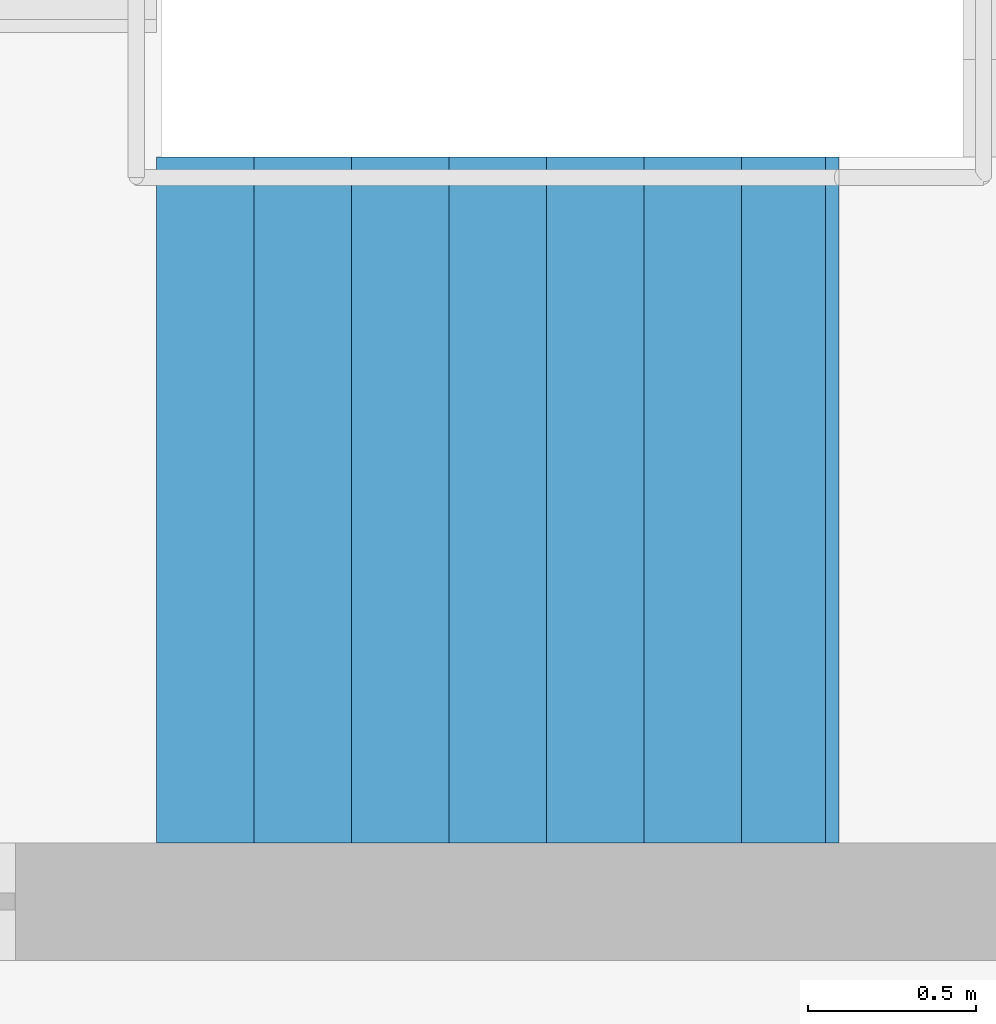
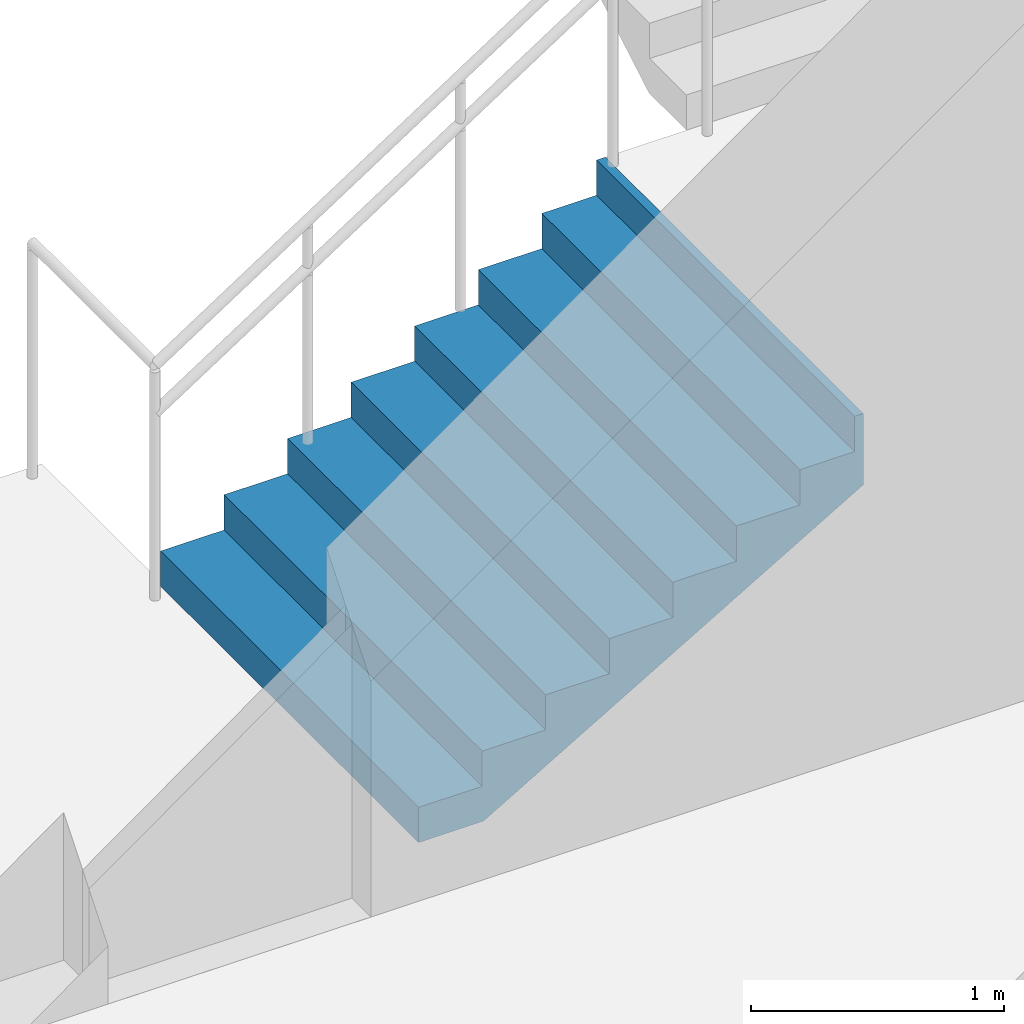
# One storey, part 39 of 50: 1 stair flight, 1 element without a shape of its own.
"""IFC4 building model written with IfcOpenShell, lengths in metres."""

from ifc_helpers import new_model, si_unit, direction, frame, origin, place, context, subcontext, project, spatial, triangles, material, type_object, element, aggregate, save


model = new_model("IFC4")

# Units and contexts
model_context = context("Model", 3, precision=1e-05, world=origin(), true_north=direction((0.0, 1.0)))
body_context = subcontext(model_context, "Body", "Model", "MODEL_VIEW")
ifc_project = project(units=[si_unit("LENGTHUNIT", "METRE"), si_unit("AREAUNIT", "SQUARE_METRE"), si_unit("VOLUMEUNIT", "CUBIC_METRE"), si_unit("PLANEANGLEUNIT", "RADIAN"), si_unit("MASSUNIT", "GRAM", prefix="KILO")], contexts=[model_context])

# Site, building, storey
site_placement = place(None, origin())
site = spatial("IfcSite", under=ifc_project, at=site_placement, CompositionType="ELEMENT")
building_placement = place(site_placement, origin())
building = spatial("IfcBuilding", under=site, at=building_placement, Name="Sillaruma Civic Art Gallery", CompositionType="ELEMENT")
storey_placement = place(building_placement, origin())
storey = spatial("IfcBuildingStorey", under=building, at=storey_placement, Name="L00", CompositionType="ELEMENT", Elevation=0.0)

# Stair, stair flight
ifc_material = material(Name="Concrete H35 (35 MPa)", Category="concrete")
stair_type = type_object("IfcStairType", Name="STR-4F-32", PredefinedType="USERDEFINED", material=ifc_material)
stair_placement = place(storey_placement, origin())
stair = element("IfcStair", 1, at=stair_placement, inside=storey, type_object=stair_type, Name="Protected Exit Stair ST-02 (West Bar North) (L00)", ObjectType="THREE_RETURN_STAIR", PredefinedType="USERDEFINED")
stair_flight_type = type_object("IfcStairFlightType", Name="SFL-STR-8", PredefinedType="STRAIGHT", material=ifc_material)
stair_flight_placement = place(storey_placement, frame((64.800048828125, 81.929931640625, 0.0), z_axis=(0.0, 0.0, 1.0), x_axis=(1.0, 0.0, 0.0)))
stair_flight = element("IfcStairFlight", 2, at=stair_flight_placement, type_object=stair_flight_type, Name="ST-02 flight 1", NumberOfRisers=8, NumberOfTreads=7, PredefinedType="STRAIGHT", RiserHeight=0.17, TreadLength=0.29, context=body_context, shape_type="Tessellation", body=[
    triangles([(0.0, -1.02001953125, 0.0), (0.29, -1.02001953125, 0.0), (0.296443, -1.02001953125, 0.0), (0.58, -1.02001953125, 0.166223), (0.87, -1.02001953125, 0.336223), (1.16, -1.02001953125, 0.506223), (1.45, -1.02001953125, 0.676223), (1.74, -1.02001953125, 0.846223), (1.990029, -1.02001953125, 0.992792), (2.030029, -1.02001953125, 1.01624), (2.030029, -1.02001953125, 1.36), (1.990029, -1.02001953125, 1.36), (1.990029, -1.02001953125, 1.19), (1.74, -1.02001953125, 1.19), (1.74, -1.02001953125, 1.02), (1.45, -1.02001953125, 1.02), (1.45, -1.02001953125, 0.85), (1.16, -1.02001953125, 0.85), (1.16, -1.02001953125, 0.68), (0.87, -1.02001953125, 0.68), (0.87, -1.02001953125, 0.51), (0.58, -1.02001953125, 0.51), (0.58, -1.02001953125, 0.34), (0.296443, -1.02001953125, 0.34), (0.29, -1.02001953125, 0.34), (0.29, -1.02001953125, 0.17), (0.0, -1.02001953125, 0.17), (0.0, -0.05, 0.0), (0.29, -0.05, 0.0), (0.296443, -0.05, 0.0), (0.58, -0.05, 0.166223), (0.87, -0.05, 0.336223), (1.16, -0.05, 0.506223), (1.45, -0.05, 0.676223), (1.74, -0.05, 0.846223), (1.990029, -0.05, 0.992792), (2.030029, -0.05, 1.01624), (2.030029, -0.05, 1.36), (1.990029, -0.05, 1.36), (1.990029, -0.05, 1.19), (1.74, -0.05, 1.19), (1.74, -0.05, 1.02), (1.45, -0.05, 1.02), (1.45, -0.05, 0.85), (1.16, -0.05, 0.85), (1.16, -0.05, 0.68), (0.87, -0.05, 0.68), (0.87, -0.05, 0.51), (0.58, -0.05, 0.51), (0.58, -0.05, 0.34), (0.296443, -0.05, 0.34), (0.29, -0.05, 0.34), (0.29, -0.05, 0.17), (0.0, -0.05, 0.17), (0.0, -0.0375, 0.0), (0.29, -0.0375, 0.0), (0.296443, -0.0375, 0.0), (0.58, -0.0375, 0.166223), (0.87, -0.0375, 0.336223), (1.16, -0.0375, 0.506223), (1.45, -0.0375, 0.676223), (1.74, -0.0375, 0.846223), (1.990029, -0.0375, 0.992792), (2.030029, -0.0375, 1.01624), (2.030029, -0.0375, 1.36), (1.990029, -0.0375, 1.36), (1.990029, -0.0375, 1.19), (1.74, -0.0375, 1.19), (1.74, -0.0375, 1.02), (1.45, -0.0375, 1.02), (1.45, -0.0375, 0.85), (1.16, -0.0375, 0.85), (1.16, -0.0375, 0.68), (0.87, -0.0375, 0.68), (0.87, -0.0375, 0.51), (0.58, -0.0375, 0.51), (0.58, -0.0375, 0.34), (0.296443, -0.0375, 0.34), (0.29, -0.0375, 0.34), (0.29, -0.0375, 0.17), (0.0, -0.0375, 0.17), (0.0, -0.025, 0.0), (0.29, -0.025, 0.0), (0.296443, -0.025, 0.0), (0.58, -0.025, 0.166223), (0.87, -0.025, 0.336223), (1.16, -0.025, 0.506223), (1.45, -0.025, 0.676223), (1.74, -0.025, 0.846223), (1.990029, -0.025, 0.992792), (2.030029, -0.025, 1.01624), (2.030029, -0.025, 1.36), (1.990029, -0.025, 1.36), (1.990029, -0.025, 1.19), (1.74, -0.025, 1.19), (1.74, -0.025, 1.02), (1.45, -0.025, 1.02), (1.45, -0.025, 0.85), (1.16, -0.025, 0.85), (1.16, -0.025, 0.68), (0.87, -0.025, 0.68), (0.87, -0.025, 0.51), (0.58, -0.025, 0.51), (0.58, -0.025, 0.34), (0.296443, -0.025, 0.34), (0.29, -0.025, 0.34), (0.29, -0.025, 0.17), (0.0, -0.025, 0.17), (0.0, -0.0125, 0.0), (0.29, -0.0125, 0.0), (0.296443, -0.0125, 0.0), (0.58, -0.0125, 0.166223), (0.87, -0.0125, 0.336223), (1.16, -0.0125, 0.506223), (1.45, -0.0125, 0.676223), (1.74, -0.0125, 0.846223), (1.990029, -0.0125, 0.992792), (2.030029, -0.0125, 1.01624), (2.030029, -0.0125, 1.36), (1.990029, -0.0125, 1.36), (1.990029, -0.0125, 1.19), (1.74, -0.0125, 1.19), (1.74, -0.0125, 1.02), (1.45, -0.0125, 1.02), (1.45, -0.0125, 0.85), (1.16, -0.0125, 0.85), (1.16, -0.0125, 0.68), (0.87, -0.0125, 0.68), (0.87, -0.0125, 0.51), (0.58, -0.0125, 0.51), (0.58, -0.0125, 0.34), (0.296443, -0.0125, 0.34), (0.29, -0.0125, 0.34), (0.29, -0.0125, 0.17), (0.0, -0.0125, 0.17), (0.0, 0.0, 0.0), (0.29, 0.0, 0.0), (0.296443, 0.0, 0.0), (0.58, 0.0, 0.166223), (0.87, 0.0, 0.336223), (1.16, 0.0, 0.506223), (1.45, 0.0, 0.676223), (1.74, 0.0, 0.846223), (1.990029, 0.0, 0.992792), (2.030029, 0.0, 1.01624), (2.030029, 0.0, 1.36), (1.990029, 0.0, 1.36), (1.990029, 0.0, 1.19), (1.74, 0.0, 1.19), (1.74, 0.0, 1.02), (1.45, 0.0, 1.02), (1.45, 0.0, 0.85), (1.16, 0.0, 0.85), (1.16, 0.0, 0.68), (0.87, 0.0, 0.68), (0.87, 0.0, 0.51), (0.58, 0.0, 0.51), (0.58, 0.0, 0.34), (0.296443, 0.0, 0.34), (0.29, 0.0, 0.34), (0.29, 0.0, 0.17), (0.0, 0.0, 0.17), (0.0, 0.0125, 0.0), (0.29, 0.0125, 0.0), (0.296443, 0.0125, 0.0), (0.58, 0.0125, 0.166223), (0.87, 0.0125, 0.336223), (1.16, 0.0125, 0.506223), (1.45, 0.0125, 0.676223), (1.74, 0.0125, 0.846223), (1.990029, 0.0125, 0.992792), (2.030029, 0.0125, 1.01624), (2.030029, 0.0125, 1.36), (1.990029, 0.0125, 1.36), (1.990029, 0.0125, 1.19), (1.74, 0.0125, 1.19), (1.74, 0.0125, 1.02), (1.45, 0.0125, 1.02), (1.45, 0.0125, 0.85), (1.16, 0.0125, 0.85), (1.16, 0.0125, 0.68), (0.87, 0.0125, 0.68), (0.87, 0.0125, 0.51), (0.58, 0.0125, 0.51), (0.58, 0.0125, 0.34), (0.296443, 0.0125, 0.34), (0.29, 0.0125, 0.34), (0.29, 0.0125, 0.17), (0.0, 0.0125, 0.17), (0.0, 0.025, 0.0), (0.29, 0.025, 0.0), (0.296443, 0.025, 0.0), (0.58, 0.025, 0.166223), (0.87, 0.025, 0.336223), (1.16, 0.025, 0.506223), (1.45, 0.025, 0.676223), (1.74, 0.025, 0.846223), (1.990029, 0.025, 0.992792), (2.030029, 0.025, 1.01624), (2.030029, 0.025, 1.36), (1.990029, 0.025, 1.36), (1.990029, 0.025, 1.19), (1.74, 0.025, 1.19), (1.74, 0.025, 1.02), (1.45, 0.025, 1.02), (1.45, 0.025, 0.85), (1.16, 0.025, 0.85), (1.16, 0.025, 0.68), (0.87, 0.025, 0.68), (0.87, 0.025, 0.51), (0.58, 0.025, 0.51), (0.58, 0.025, 0.34), (0.296443, 0.025, 0.34), (0.29, 0.025, 0.34), (0.29, 0.025, 0.17), (0.0, 0.025, 0.17), (0.0, 0.0375, 0.0), (0.29, 0.0375, 0.0), (0.296443, 0.0375, 0.0), (0.58, 0.0375, 0.166223), (0.87, 0.0375, 0.336223), (1.16, 0.0375, 0.506223), (1.45, 0.0375, 0.676223), (1.74, 0.0375, 0.846223), (1.990029, 0.0375, 0.992792), (2.030029, 0.0375, 1.01624), (2.030029, 0.0375, 1.36), (1.990029, 0.0375, 1.36), (1.990029, 0.0375, 1.19), (1.74, 0.0375, 1.19), (1.74, 0.0375, 1.02), (1.45, 0.0375, 1.02), (1.45, 0.0375, 0.85), (1.16, 0.0375, 0.85), (1.16, 0.0375, 0.68), (0.87, 0.0375, 0.68), (0.87, 0.0375, 0.51), (0.58, 0.0375, 0.51), (0.58, 0.0375, 0.34), (0.296443, 0.0375, 0.34), (0.29, 0.0375, 0.34), (0.29, 0.0375, 0.17), (0.0, 0.0375, 0.17), (0.0, 0.05, 0.0), (0.29, 0.05, 0.0), (0.296443, 0.05, 0.0), (0.58, 0.05, 0.166223), (0.87, 0.05, 0.336223), (1.16, 0.05, 0.506223), (1.45, 0.05, 0.676223), (1.74, 0.05, 0.846223), (1.990029, 0.05, 0.992792), (2.030029, 0.05, 1.01624), (2.030029, 0.05, 1.36), (1.990029, 0.05, 1.36), (1.990029, 0.05, 1.19), (1.74, 0.05, 1.19), (1.74, 0.05, 1.02), (1.45, 0.05, 1.02), (1.45, 0.05, 0.85), (1.16, 0.05, 0.85), (1.16, 0.05, 0.68), (0.87, 0.05, 0.68), (0.87, 0.05, 0.51), (0.58, 0.05, 0.51), (0.58, 0.05, 0.34), (0.296443, 0.05, 0.34), (0.29, 0.05, 0.34), (0.29, 0.05, 0.17), (0.0, 0.05, 0.17), (0.0, 1.02001953125, 0.0), (0.29, 1.02001953125, 0.0), (0.296443, 1.02001953125, 0.0), (0.58, 1.02001953125, 0.166223), (0.87, 1.02001953125, 0.336223), (1.16, 1.02001953125, 0.506223), (1.45, 1.02001953125, 0.676223), (1.74, 1.02001953125, 0.846223), (1.990029, 1.02001953125, 0.992792), (2.030029, 1.02001953125, 1.01624), (2.030029, 1.02001953125, 1.36), (1.990029, 1.02001953125, 1.36), (1.990029, 1.02001953125, 1.19), (1.74, 1.02001953125, 1.19), (1.74, 1.02001953125, 1.02), (1.45, 1.02001953125, 1.02), (1.45, 1.02001953125, 0.85), (1.16, 1.02001953125, 0.85), (1.16, 1.02001953125, 0.68), (0.87, 1.02001953125, 0.68), (0.87, 1.02001953125, 0.51), (0.58, 1.02001953125, 0.51), (0.58, 1.02001953125, 0.34), (0.296443, 1.02001953125, 0.34), (0.29, 1.02001953125, 0.34), (0.29, 1.02001953125, 0.17), (0.0, 1.02001953125, 0.17)], [[1, 2, 26], [1, 26, 27], [2, 3, 24], [2, 24, 26], [26, 24, 25], [3, 4, 23], [3, 23, 24], [4, 5, 21], [4, 21, 23], [23, 21, 22], [5, 6, 19], [5, 19, 21], [21, 19, 20], [6, 7, 17], [6, 17, 19], [19, 17, 18], [7, 8, 15], [7, 15, 17], [17, 15, 16], [8, 9, 13], [8, 13, 15], [15, 13, 14], [9, 10, 11], [9, 11, 13], [13, 11, 12], [296, 272, 271], [297, 296, 271], [294, 273, 272], [296, 294, 272], [295, 294, 296], [293, 274, 273], [294, 293, 273], [291, 275, 274], [293, 291, 274], [292, 291, 293], [289, 276, 275], [291, 289, 275], [290, 289, 291], [287, 277, 276], [289, 287, 276], [288, 287, 289], [285, 278, 277], [287, 285, 277], [286, 285, 287], [283, 279, 278], [285, 283, 278], [284, 283, 285], [281, 280, 279], [283, 281, 279], [282, 281, 283], [2, 1, 28], [2, 28, 29], [3, 2, 29], [3, 29, 30], [4, 3, 30], [4, 30, 31], [5, 4, 31], [5, 31, 32], [6, 5, 32], [6, 32, 33], [7, 6, 33], [7, 33, 34], [8, 7, 34], [8, 34, 35], [9, 8, 35], [9, 35, 36], [10, 9, 36], [10, 36, 37], [11, 10, 37], [11, 37, 38], [12, 11, 38], [12, 38, 39], [13, 12, 39], [13, 39, 40], [14, 13, 40], [14, 40, 41], [15, 14, 41], [15, 41, 42], [16, 15, 42], [16, 42, 43], [17, 16, 43], [17, 43, 44], [18, 17, 44], [18, 44, 45], [19, 18, 45], [19, 45, 46], [20, 19, 46], [20, 46, 47], [21, 20, 47], [21, 47, 48], [22, 21, 48], [22, 48, 49], [23, 22, 49], [23, 49, 50], [24, 23, 50], [24, 50, 51], [25, 24, 51], [25, 51, 52], [26, 25, 52], [26, 52, 53], [27, 26, 53], [27, 53, 54], [1, 27, 54], [1, 54, 28], [29, 28, 55], [29, 55, 56], [30, 29, 56], [30, 56, 57], [31, 30, 57], [31, 57, 58], [32, 31, 58], [32, 58, 59], [33, 32, 59], [33, 59, 60], [34, 33, 60], [34, 60, 61], [35, 34, 61], [35, 61, 62], [36, 35, 62], [36, 62, 63], [37, 36, 63], [37, 63, 64], [38, 37, 64], [38, 64, 65], [39, 38, 65], [39, 65, 66], [40, 39, 66], [40, 66, 67], [41, 40, 67], [41, 67, 68], [42, 41, 68], [42, 68, 69], [43, 42, 69], [43, 69, 70], [44, 43, 70], [44, 70, 71], [45, 44, 71], [45, 71, 72], [46, 45, 72], [46, 72, 73], [47, 46, 73], [47, 73, 74], [48, 47, 74], [48, 74, 75], [49, 48, 75], [49, 75, 76], [50, 49, 76], [50, 76, 77], [51, 50, 77], [51, 77, 78], [52, 51, 78], [52, 78, 79], [53, 52, 79], [53, 79, 80], [54, 53, 80], [54, 80, 81], [28, 54, 81], [28, 81, 55], [56, 55, 82], [56, 82, 83], [57, 56, 83], [57, 83, 84], [58, 57, 84], [58, 84, 85], [59, 58, 85], [59, 85, 86], [60, 59, 86], [60, 86, 87], [61, 60, 87], [61, 87, 88], [62, 61, 88], [62, 88, 89], [63, 62, 89], [63, 89, 90], [64, 63, 90], [64, 90, 91], [65, 64, 91], [65, 91, 92], [66, 65, 92], [66, 92, 93], [67, 66, 93], [67, 93, 94], [68, 67, 94], [68, 94, 95], [69, 68, 95], [69, 95, 96], [70, 69, 96], [70, 96, 97], [71, 70, 97], [71, 97, 98], [72, 71, 98], [72, 98, 99], [73, 72, 99], [73, 99, 100], [74, 73, 100], [74, 100, 101], [75, 74, 101], [75, 101, 102], [76, 75, 102], [76, 102, 103], [77, 76, 103], [77, 103, 104], [78, 77, 104], [78, 104, 105], [79, 78, 105], [79, 105, 106], [80, 79, 106], [80, 106, 107], [81, 80, 107], [81, 107, 108], [55, 81, 108], [55, 108, 82], [83, 82, 109], [83, 109, 110], [84, 83, 110], [84, 110, 111], [85, 84, 111], [85, 111, 112], [86, 85, 112], [86, 112, 113], [87, 86, 113], [87, 113, 114], [88, 87, 114], [88, 114, 115], [89, 88, 115], [89, 115, 116], [90, 89, 116], [90, 116, 117], [91, 90, 117], [91, 117, 118], [92, 91, 118], [92, 118, 119], [93, 92, 119], [93, 119, 120], [94, 93, 120], [94, 120, 121], [95, 94, 121], [95, 121, 122], [96, 95, 122], [96, 122, 123], [97, 96, 123], [97, 123, 124], [98, 97, 124], [98, 124, 125], [99, 98, 125], [99, 125, 126], [100, 99, 126], [100, 126, 127], [101, 100, 127], [101, 127, 128], [102, 101, 128], [102, 128, 129], [103, 102, 129], [103, 129, 130], [104, 103, 130], [104, 130, 131], [105, 104, 131], [105, 131, 132], [106, 105, 132], [106, 132, 133], [107, 106, 133], [107, 133, 134], [108, 107, 134], [108, 134, 135], [82, 108, 135], [82, 135, 109], [110, 109, 136], [110, 136, 137], [111, 110, 137], [111, 137, 138], [112, 111, 138], [112, 138, 139], [113, 112, 139], [113, 139, 140], [114, 113, 140], [114, 140, 141], [115, 114, 141], [115, 141, 142], [116, 115, 142], [116, 142, 143], [117, 116, 143], [117, 143, 144], [118, 117, 144], [118, 144, 145], [119, 118, 145], [119, 145, 146], [120, 119, 146], [120, 146, 147], [121, 120, 147], [121, 147, 148], [122, 121, 148], [122, 148, 149], [123, 122, 149], [123, 149, 150], [124, 123, 150], [124, 150, 151], [125, 124, 151], [125, 151, 152], [126, 125, 152], [126, 152, 153], [127, 126, 153], [127, 153, 154], [128, 127, 154], [128, 154, 155], [129, 128, 155], [129, 155, 156], [130, 129, 156], [130, 156, 157], [131, 130, 157], [131, 157, 158], [132, 131, 158], [132, 158, 159], [133, 132, 159], [133, 159, 160], [134, 133, 160], [134, 160, 161], [135, 134, 161], [135, 161, 162], [109, 135, 162], [109, 162, 136], [137, 136, 163], [137, 163, 164], [138, 137, 164], [138, 164, 165], [139, 138, 165], [139, 165, 166], [140, 139, 166], [140, 166, 167], [141, 140, 167], [141, 167, 168], [142, 141, 168], [142, 168, 169], [143, 142, 169], [143, 169, 170], [144, 143, 170], [144, 170, 171], [145, 144, 171], [145, 171, 172], [146, 145, 172], [146, 172, 173], [147, 146, 173], [147, 173, 174], [148, 147, 174], [148, 174, 175], [149, 148, 175], [149, 175, 176], [150, 149, 176], [150, 176, 177], [151, 150, 177], [151, 177, 178], [152, 151, 178], [152, 178, 179], [153, 152, 179], [153, 179, 180], [154, 153, 180], [154, 180, 181], [155, 154, 181], [155, 181, 182], [156, 155, 182], [156, 182, 183], [157, 156, 183], [157, 183, 184], [158, 157, 184], [158, 184, 185], [159, 158, 185], [159, 185, 186], [160, 159, 186], [160, 186, 187], [161, 160, 187], [161, 187, 188], [162, 161, 188], [162, 188, 189], [136, 162, 189], [136, 189, 163], [164, 163, 190], [164, 190, 191], [165, 164, 191], [165, 191, 192], [166, 165, 192], [166, 192, 193], [167, 166, 193], [167, 193, 194], [168, 167, 194], [168, 194, 195], [169, 168, 195], [169, 195, 196], [170, 169, 196], [170, 196, 197], [171, 170, 197], [171, 197, 198], [172, 171, 198], [172, 198, 199], [173, 172, 199], [173, 199, 200], [174, 173, 200], [174, 200, 201], [175, 174, 201], [175, 201, 202], [176, 175, 202], [176, 202, 203], [177, 176, 203], [177, 203, 204], [178, 177, 204], [178, 204, 205], [179, 178, 205], [179, 205, 206], [180, 179, 206], [180, 206, 207], [181, 180, 207], [181, 207, 208], [182, 181, 208], [182, 208, 209], [183, 182, 209], [183, 209, 210], [184, 183, 210], [184, 210, 211], [185, 184, 211], [185, 211, 212], [186, 185, 212], [186, 212, 213], [187, 186, 213], [187, 213, 214], [188, 187, 214], [188, 214, 215], [189, 188, 215], [189, 215, 216], [163, 189, 216], [163, 216, 190], [191, 190, 217], [191, 217, 218], [192, 191, 218], [192, 218, 219], [193, 192, 219], [193, 219, 220], [194, 193, 220], [194, 220, 221], [195, 194, 221], [195, 221, 222], [196, 195, 222], [196, 222, 223], [197, 196, 223], [197, 223, 224], [198, 197, 224], [198, 224, 225], [199, 198, 225], [199, 225, 226], [200, 199, 226], [200, 226, 227], [201, 200, 227], [201, 227, 228], [202, 201, 228], [202, 228, 229], [203, 202, 229], [203, 229, 230], [204, 203, 230], [204, 230, 231], [205, 204, 231], [205, 231, 232], [206, 205, 232], [206, 232, 233], [207, 206, 233], [207, 233, 234], [208, 207, 234], [208, 234, 235], [209, 208, 235], [209, 235, 236], [210, 209, 236], [210, 236, 237], [211, 210, 237], [211, 237, 238], [212, 211, 238], [212, 238, 239], [213, 212, 239], [213, 239, 240], [214, 213, 240], [214, 240, 241], [215, 214, 241], [215, 241, 242], [216, 215, 242], [216, 242, 243], [190, 216, 243], [190, 243, 217], [218, 217, 244], [218, 244, 245], [219, 218, 245], [219, 245, 246], [220, 219, 246], [220, 246, 247], [221, 220, 247], [221, 247, 248], [222, 221, 248], [222, 248, 249], [223, 222, 249], [223, 249, 250], [224, 223, 250], [224, 250, 251], [225, 224, 251], [225, 251, 252], [226, 225, 252], [226, 252, 253], [227, 226, 253], [227, 253, 254], [228, 227, 254], [228, 254, 255], [229, 228, 255], [229, 255, 256], [230, 229, 256], [230, 256, 257], [231, 230, 257], [231, 257, 258], [232, 231, 258], [232, 258, 259], [233, 232, 259], [233, 259, 260], [234, 233, 260], [234, 260, 261], [235, 234, 261], [235, 261, 262], [236, 235, 262], [236, 262, 263], [237, 236, 263], [237, 263, 264], [238, 237, 264], [238, 264, 265], [239, 238, 265], [239, 265, 266], [240, 239, 266], [240, 266, 267], [241, 240, 267], [241, 267, 268], [242, 241, 268], [242, 268, 269], [243, 242, 269], [243, 269, 270], [217, 243, 270], [217, 270, 244], [245, 244, 271], [245, 271, 272], [246, 245, 272], [246, 272, 273], [247, 246, 273], [247, 273, 274], [248, 247, 274], [248, 274, 275], [249, 248, 275], [249, 275, 276], [250, 249, 276], [250, 276, 277], [251, 250, 277], [251, 277, 278], [252, 251, 278], [252, 278, 279], [253, 252, 279], [253, 279, 280], [254, 253, 280], [254, 280, 281], [255, 254, 281], [255, 281, 282], [256, 255, 282], [256, 282, 283], [257, 256, 283], [257, 283, 284], [258, 257, 284], [258, 284, 285], [259, 258, 285], [259, 285, 286], [260, 259, 286], [260, 286, 287], [261, 260, 287], [261, 287, 288], [262, 261, 288], [262, 288, 289], [263, 262, 289], [263, 289, 290], [264, 263, 290], [264, 290, 291], [265, 264, 291], [265, 291, 292], [266, 265, 292], [266, 292, 293], [267, 266, 293], [267, 293, 294], [268, 267, 294], [268, 294, 295], [269, 268, 295], [269, 295, 296], [270, 269, 296], [270, 296, 297], [244, 270, 297], [244, 297, 271]], closed=True),
])
aggregate(stair, [stair_flight])

save(model, "model.ifc")
